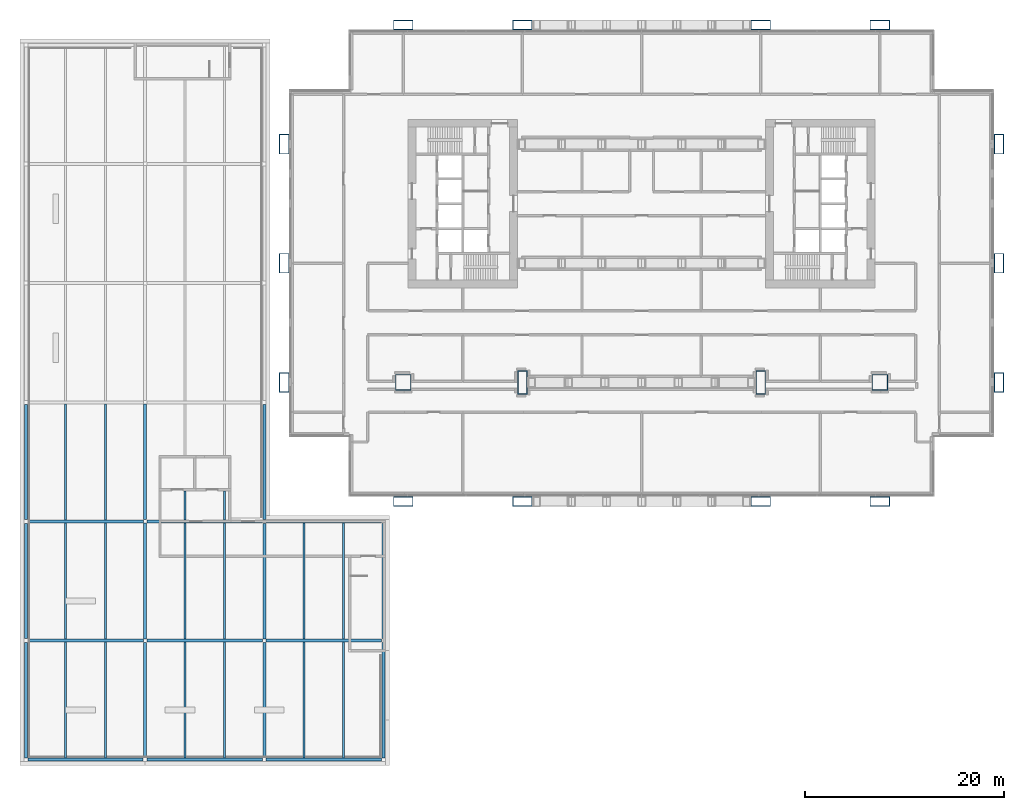
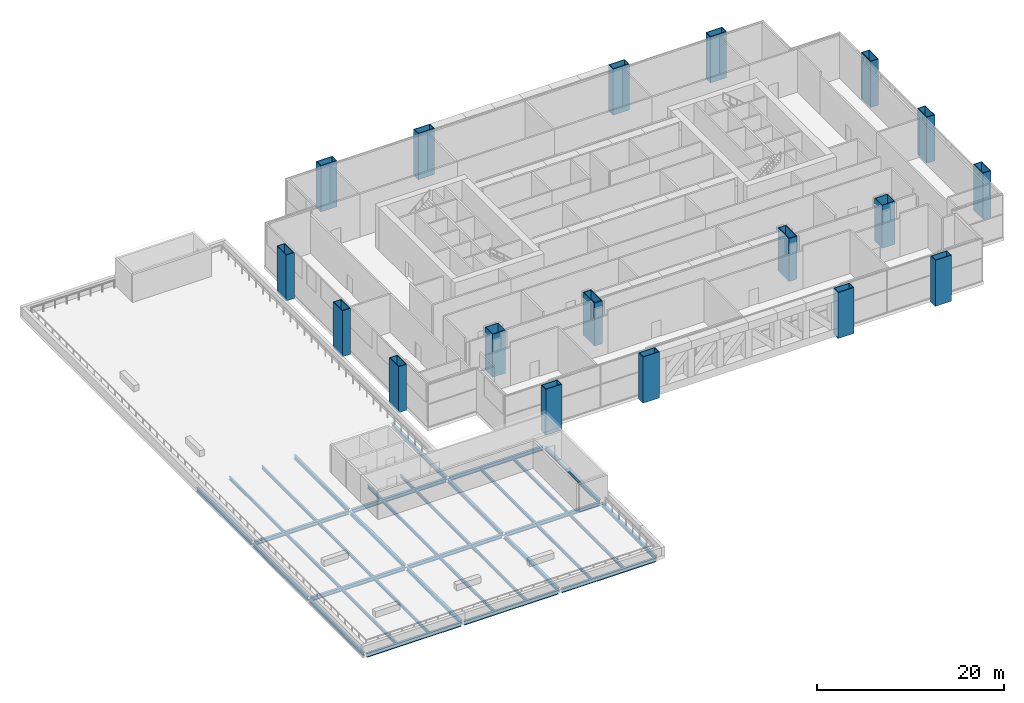
# One storey, part 1 of 27: 36 beams, 18 columns.
"""IFC4 building model written with IfcOpenShell, lengths in metres."""

from ifc_helpers import new_model, si_unit, direction, frame, origin, origin_2d, place, context, subcontext, project, spatial, hollow_rectangle, i_section, extrude, material, material_profile, profile_set, type_object, element, save


model = new_model("IFC4")

# Units and contexts
model_context = context("Model", 3, precision=1e-05, world=origin(), true_north=direction((0.0, 1.0)))
body_context = subcontext(model_context, "Body", "Model", "MODEL_VIEW")
ifc_project = project(units=[si_unit("LENGTHUNIT", "METRE"), si_unit("AREAUNIT", "SQUARE_METRE"), si_unit("VOLUMEUNIT", "CUBIC_METRE"), si_unit("PLANEANGLEUNIT", "RADIAN"), si_unit("MASSUNIT", "GRAM", prefix="KILO")], contexts=[model_context])

# Site, building, storey
site_placement = place(None, origin())
site = spatial("IfcSite", under=ifc_project, at=site_placement, CompositionType="ELEMENT")
building_placement = place(site_placement, origin())
building = spatial("IfcBuilding", under=site, at=building_placement, Name="Kitamizu Gate Tower and Museum", CompositionType="ELEMENT")
storey_placement = place(building_placement, frame((0.0, 0.0, 24.0)))
storey = spatial("IfcBuildingStorey", under=building, at=storey_placement, Name="L04", CompositionType="ELEMENT", Elevation=24.0)

# Columns
ifc_material_1 = material(Name="Steel SM490A bronze coated", Category="steel")
ifc_material_profile_1 = material_profile(ifc_material_1, hollow_rectangle(XDim=2.39990234375, YDim=1.0, WallThickness=0.090087890625, at=origin_2d()), Name="BOX 2400x1000x90")
ifc_profile_set_1 = profile_set([ifc_material_profile_1], Name="Steel SM490A bronze coated")
column_type_1 = type_object("IfcColumnType", Name="Arch jamb column JC1 BOX 2400x1000x90", PredefinedType="COLUMN", material=ifc_profile_set_1)
for number, where, z_axis, x_axis, name in (
    (1, (24.0, 12.0, 0.0), (0.0, 0.0, 1.0), (0.0, 1.0, 0.0), "Column JC1 3B L04"),
    (2, (48.0, 12.0, 0.0), (0.0, 0.0, 1.0), (0.0, 1.0, 0.0), "Column JC1 5B L04"),
):
    element("IfcColumn", number, at=place(storey_placement, frame(where, z_axis=z_axis, x_axis=x_axis)), inside=storey, type_object=column_type_1, Name=name, PredefinedType="COLUMN", context=body_context, shape_type="SweptSolid", body=[
        extrude(hollow_rectangle(XDim=2.39990234375, YDim=1.0, WallThickness=0.090087890625, at=origin_2d()), origin(), (0.0, 0.0, 1.0), 5.60009765625),
    ])
ifc_material_2 = material(Name="Steel SM490A", Category="steel")
ifc_material_profile_2 = material_profile(ifc_material_2, hollow_rectangle(XDim=1.60009765625, YDim=1.60009765625, WallThickness=0.070068359375, at=origin_2d()), Name="BOX 1600x1600x70")
ifc_profile_set_2 = profile_set([ifc_material_profile_2], Name="Steel SM490A")
column_type_2 = type_object("IfcColumnType", Name="Interior column IC1 BOX 1600x1600x70", PredefinedType="COLUMN", material=ifc_profile_set_2)
for number, where, z_axis, x_axis, name in (
    (3, (12.0, 12.0, 0.0), (0.0, 0.0, 1.0), (1.0, 0.0, 0.0), "Column IC1 2B L04"),
    (4, (60.0, 12.0, 0.0), (0.0, 0.0, 1.0), (1.0, 0.0, 0.0), "Column IC1 6B L04"),
):
    element("IfcColumn", number, at=place(storey_placement, frame(where, z_axis=z_axis, x_axis=x_axis)), inside=storey, type_object=column_type_2, Name=name, PredefinedType="COLUMN", context=body_context, shape_type="SweptSolid", body=[
        extrude(hollow_rectangle(XDim=1.60009765625, YDim=1.60009765625, WallThickness=0.070068359375, at=origin_2d()), origin(), (0.0, 0.0, 1.0), 5.60009765625),
    ])
ifc_material_3 = material(Name="Steel SM490A bronze coated", Category="steel")
ifc_material_profile_3 = material_profile(ifc_material_3, hollow_rectangle(XDim=2.0, YDim=1.0, WallThickness=0.080078125, at=origin_2d()), Name="BOX 2000x1000x80")
ifc_profile_set_3 = profile_set([ifc_material_profile_3], Name="Steel SM490A bronze coated")
column_type_3 = type_object("IfcColumnType", Name="Podium leg column LC1 BOX 2000x1000x80", PredefinedType="COLUMN", material=ifc_profile_set_3)
for number, where, z_axis, x_axis, name in (
    (5, (0.0, 12.0, -0.39990234375), (0.0, 0.0, 1.0), (0.0, 1.0, 0.0), "Column LC1 1B L04"),
    (6, (0.0, 24.0, -0.39990234375), (0.0, 0.0, 1.0), (0.0, 1.0, 0.0), "Column LC1 1C L04"),
    (7, (0.0, 36.0, -0.39990234375), (0.0, 0.0, 1.0), (0.0, 1.0, 0.0), "Column LC1 1D L04"),
    (8, (12.0, 0.0, -0.39990234375), (0.0, 0.0, 1.0), (1.0, 0.0, 0.0), "Column LC1 2A L04"),
    (9, (12.0, 48.0, -0.39990234375), (0.0, 0.0, 1.0), (1.0, 0.0, 0.0), "Column LC1 2E L04"),
    (10, (24.0, 0.0, -0.39990234375), (0.0, 0.0, 1.0), (1.0, 0.0, 0.0), "Column LC1 3A L04"),
    (11, (24.0, 48.0, -0.39990234375), (0.0, 0.0, 1.0), (1.0, 0.0, 0.0), "Column LC1 3E L04"),
    (12, (48.0, 0.0, -0.39990234375), (0.0, 0.0, 1.0), (1.0, 0.0, 0.0), "Column LC1 5A L04"),
    (13, (48.0, 48.0, -0.39990234375), (0.0, 0.0, 1.0), (1.0, 0.0, 0.0), "Column LC1 5E L04"),
    (14, (60.0, 0.0, -0.39990234375), (0.0, 0.0, 1.0), (1.0, 0.0, 0.0), "Column LC1 6A L04"),
    (15, (60.0, 48.0, -0.39990234375), (0.0, 0.0, 1.0), (1.0, 0.0, 0.0), "Column LC1 6E L04"),
    (16, (72.0, 12.0, -0.39990234375), (0.0, 0.0, 1.0), (0.0, 1.0, 0.0), "Column LC1 7B L04"),
    (17, (72.0, 24.0, -0.39990234375), (0.0, 0.0, 1.0), (0.0, 1.0, 0.0), "Column LC1 7C L04"),
    (18, (72.0, 36.0, -0.39990234375), (0.0, 0.0, 1.0), (0.0, 1.0, 0.0), "Column LC1 7D L04"),
):
    element("IfcColumn", number, at=place(storey_placement, frame(where, z_axis=z_axis, x_axis=x_axis)), inside=storey, type_object=column_type_3, Name=name, PredefinedType="COLUMN", context=body_context, shape_type="SweptSolid", body=[
        extrude(hollow_rectangle(XDim=2.0, YDim=1.0, WallThickness=0.080078125, at=origin_2d()), origin(), (0.0, 0.0, 1.0), 6.0),
    ])

# Beams
ifc_material_4 = material(Name="Steel SS400", Category="steel")
ifc_material_profile_4 = material_profile(ifc_material_4, i_section(OverallWidth=0.300048828125, OverallDepth=0.488037109375, WebThickness=0.010986328125, FlangeThickness=0.01806640625, FilletRadius=0.02587890625, at=origin_2d()), Name="H-488x300x11x18")
ifc_profile_set_4 = profile_set([ifc_material_profile_4], Name="Steel SS400")
beam_type_1 = type_object("IfcBeamType", Name="Museum girder H 488x300x11x18", PredefinedType="BEAM", material=ifc_profile_set_4)
beam_1_placement = place(storey_placement, frame((-25.800048828125, -26.0, -0.64404296875), z_axis=(1.0, 0.0, 0.0), x_axis=(0.0, 1.0, 0.0)))
element("IfcBeam", 19, at=beam_1_placement, inside=storey, type_object=beam_type_1, Name="Girder xM1M2MA", PredefinedType="BEAM", context=body_context, shape_type="SweptSolid", body=[
    extrude(i_section(OverallWidth=0.300048828125, OverallDepth=0.488037109375, WebThickness=0.010986328125, FlangeThickness=0.01806640625, FilletRadius=0.02587890625, at=origin_2d()), origin(), (0.0, 0.0, 1.0), 11.60009765625),
])
for number, where, z_axis, x_axis, name in (
    (20, (-25.800048828125, -14.0, -0.64404296875), (1.0, 0.0, 0.0), (0.0, 1.0, 0.0), "Girder xM1M2MB"),
    (21, (-25.800048828125, -2.0, -0.64404296875), (1.0, 0.0, 0.0), (0.0, 1.0, 0.0), "Girder xM1M2MC"),
):
    element("IfcBeam", number, at=place(storey_placement, frame(where, z_axis=z_axis, x_axis=x_axis)), inside=storey, type_object=beam_type_1, Name=name, PredefinedType="BEAM", context=body_context, shape_type="SweptSolid", body=[
        extrude(i_section(OverallWidth=0.300048828125, OverallDepth=0.488037109375, WebThickness=0.010986328125, FlangeThickness=0.01806640625, FilletRadius=0.02587890625, at=origin_2d()), origin(), (0.0, 0.0, 1.0), 11.625),
    ])
beam_2_placement = place(storey_placement, frame((-13.800048828125, -26.0, -0.64404296875), z_axis=(1.0, 0.0, 0.0), x_axis=(0.0, 1.0, 0.0)))
element("IfcBeam", 22, at=beam_2_placement, inside=storey, type_object=beam_type_1, Name="Girder xM2M3MA", PredefinedType="BEAM", context=body_context, shape_type="SweptSolid", body=[
    extrude(i_section(OverallWidth=0.300048828125, OverallDepth=0.488037109375, WebThickness=0.010986328125, FlangeThickness=0.01806640625, FilletRadius=0.02587890625, at=origin_2d()), origin(), (0.0, 0.0, 1.0), 11.60009765625),
])
beam_3_placement = place(storey_placement, frame((-13.824951171875, -14.0, -0.64404296875), z_axis=(1.0, 0.0, 0.0), x_axis=(0.0, 1.0, 0.0)))
element("IfcBeam", 23, at=beam_3_placement, inside=storey, type_object=beam_type_1, Name="Girder xM2M3MB", PredefinedType="BEAM", context=body_context, shape_type="SweptSolid", body=[
    extrude(i_section(OverallWidth=0.300048828125, OverallDepth=0.488037109375, WebThickness=0.010986328125, FlangeThickness=0.01806640625, FilletRadius=0.02587890625, at=origin_2d()), origin(), (0.0, 0.0, 1.0), 11.64990234375),
])
beam_4_placement = place(storey_placement, frame((-13.824951171875, -2.0, -0.64404296875), z_axis=(1.0, 0.0, 0.0), x_axis=(0.0, 1.0, 0.0)))
element("IfcBeam", 24, at=beam_4_placement, inside=storey, type_object=beam_type_1, Name="Girder xM2M3MC", PredefinedType="BEAM", context=body_context, shape_type="SweptSolid", body=[
    extrude(i_section(OverallWidth=0.300048828125, OverallDepth=0.488037109375, WebThickness=0.010986328125, FlangeThickness=0.01806640625, FilletRadius=0.02587890625, at=origin_2d()), origin(), (0.0, 0.0, 1.0), 11.625),
])
beam_5_placement = place(storey_placement, frame((-1.800048828125, -26.0, -0.64404296875), z_axis=(1.0, 0.0, 0.0), x_axis=(0.0, 1.0, 0.0)))
element("IfcBeam", 25, at=beam_5_placement, inside=storey, type_object=beam_type_1, Name="Girder xM3M4MA", PredefinedType="BEAM", context=body_context, shape_type="SweptSolid", body=[
    extrude(i_section(OverallWidth=0.300048828125, OverallDepth=0.488037109375, WebThickness=0.010986328125, FlangeThickness=0.01806640625, FilletRadius=0.02587890625, at=origin_2d()), origin(), (0.0, 0.0, 1.0), 11.60009765625),
])
beam_6_placement = place(storey_placement, frame((-1.824951171875, -14.0, -0.64404296875), z_axis=(1.0, 0.0, 0.0), x_axis=(0.0, 1.0, 0.0)))
element("IfcBeam", 26, at=beam_6_placement, inside=storey, type_object=beam_type_1, Name="Girder xM3M4MB", PredefinedType="BEAM", context=body_context, shape_type="SweptSolid", body=[
    extrude(i_section(OverallWidth=0.300048828125, OverallDepth=0.488037109375, WebThickness=0.010986328125, FlangeThickness=0.01806640625, FilletRadius=0.02587890625, at=origin_2d()), origin(), (0.0, 0.0, 1.0), 11.625),
])
for number, where, z_axis, x_axis, name in (
    (27, (-1.800048828125, -2.0, -0.64404296875), (1.0, 0.0, 0.0), (0.0, 1.0, 0.0), "Girder xM3M4MC"),
    (28, (-26.0, -25.800048828125, -0.64404296875), (0.0, 1.0, 0.0), (-1.0, 0.0, 0.0), "Girder yM1MAMB"),
):
    element("IfcBeam", number, at=place(storey_placement, frame(where, z_axis=z_axis, x_axis=x_axis)), inside=storey, type_object=beam_type_1, Name=name, PredefinedType="BEAM", context=body_context, shape_type="SweptSolid", body=[
        extrude(i_section(OverallWidth=0.300048828125, OverallDepth=0.488037109375, WebThickness=0.010986328125, FlangeThickness=0.01806640625, FilletRadius=0.02587890625, at=origin_2d()), origin(), (0.0, 0.0, 1.0), 11.60009765625),
    ])
for number, where, z_axis, x_axis, name in (
    (29, (-14.0, -25.800048828125, -0.64404296875), (0.0, 1.0, 0.0), (-1.0, 0.0, 0.0), "Girder yM2MAMB"),
    (30, (-2.0, -25.800048828125, -0.64404296875), (0.0, 1.0, 0.0), (-1.0, 0.0, 0.0), "Girder yM3MAMB"),
):
    element("IfcBeam", number, at=place(storey_placement, frame(where, z_axis=z_axis, x_axis=x_axis)), inside=storey, type_object=beam_type_1, Name=name, PredefinedType="BEAM", context=body_context, shape_type="SweptSolid", body=[
        extrude(i_section(OverallWidth=0.300048828125, OverallDepth=0.488037109375, WebThickness=0.010986328125, FlangeThickness=0.01806640625, FilletRadius=0.02587890625, at=origin_2d()), origin(), (0.0, 0.0, 1.0), 11.625),
    ])
for number, where, z_axis, x_axis, name in (
    (31, (10.0, -25.800048828125, -0.64404296875), (0.0, 1.0, 0.0), (-1.0, 0.0, 0.0), "Girder yM4MAMB"),
    (32, (-26.0, -13.800048828125, -0.64404296875), (0.0, 1.0, 0.0), (-1.0, 0.0, 0.0), "Girder yM1MBMC"),
):
    element("IfcBeam", number, at=place(storey_placement, frame(where, z_axis=z_axis, x_axis=x_axis)), inside=storey, type_object=beam_type_1, Name=name, PredefinedType="BEAM", context=body_context, shape_type="SweptSolid", body=[
        extrude(i_section(OverallWidth=0.300048828125, OverallDepth=0.488037109375, WebThickness=0.010986328125, FlangeThickness=0.01806640625, FilletRadius=0.02587890625, at=origin_2d()), origin(), (0.0, 0.0, 1.0), 11.60009765625),
    ])
beam_7_placement = place(storey_placement, frame((-14.0, -13.824951171875, -0.64404296875), z_axis=(0.0, 1.0, 0.0), x_axis=(-1.0, 0.0, 0.0)))
element("IfcBeam", 33, at=beam_7_placement, inside=storey, type_object=beam_type_1, Name="Girder yM2MBMC", PredefinedType="BEAM", context=body_context, shape_type="SweptSolid", body=[
    extrude(i_section(OverallWidth=0.300048828125, OverallDepth=0.488037109375, WebThickness=0.010986328125, FlangeThickness=0.01806640625, FilletRadius=0.02587890625, at=origin_2d()), origin(), (0.0, 0.0, 1.0), 11.64990234375),
])
beam_8_placement = place(storey_placement, frame((-2.0, -13.824951171875, -0.64404296875), z_axis=(0.0, 1.0, 0.0), x_axis=(-1.0, 0.0, 0.0)))
element("IfcBeam", 34, at=beam_8_placement, inside=storey, type_object=beam_type_1, Name="Girder yM3MBMC", PredefinedType="BEAM", context=body_context, shape_type="SweptSolid", body=[
    extrude(i_section(OverallWidth=0.300048828125, OverallDepth=0.488037109375, WebThickness=0.010986328125, FlangeThickness=0.01806640625, FilletRadius=0.02587890625, at=origin_2d()), origin(), (0.0, 0.0, 1.0), 11.625),
])
for number, where, z_axis, x_axis, name in (
    (35, (10.0, -13.800048828125, -0.64404296875), (0.0, 1.0, 0.0), (-1.0, 0.0, 0.0), "Girder yM4MBMC"),
    (36, (-26.0, -1.800048828125, -0.64404296875), (0.0, 1.0, 0.0), (-1.0, 0.0, 0.0), "Girder yM1MCMD"),
):
    element("IfcBeam", number, at=place(storey_placement, frame(where, z_axis=z_axis, x_axis=x_axis)), inside=storey, type_object=beam_type_1, Name=name, PredefinedType="BEAM", context=body_context, shape_type="SweptSolid", body=[
        extrude(i_section(OverallWidth=0.300048828125, OverallDepth=0.488037109375, WebThickness=0.010986328125, FlangeThickness=0.01806640625, FilletRadius=0.02587890625, at=origin_2d()), origin(), (0.0, 0.0, 1.0), 11.60009765625),
    ])
beam_9_placement = place(storey_placement, frame((-14.0, -1.824951171875, -0.64404296875), z_axis=(0.0, 1.0, 0.0), x_axis=(-1.0, 0.0, 0.0)))
element("IfcBeam", 37, at=beam_9_placement, inside=storey, type_object=beam_type_1, Name="Girder yM2MCMD", PredefinedType="BEAM", context=body_context, shape_type="SweptSolid", body=[
    extrude(i_section(OverallWidth=0.300048828125, OverallDepth=0.488037109375, WebThickness=0.010986328125, FlangeThickness=0.01806640625, FilletRadius=0.02587890625, at=origin_2d()), origin(), (0.0, 0.0, 1.0), 11.64990234375),
])
beam_10_placement = place(storey_placement, frame((-2.0, -1.800048828125, -0.64404296875), z_axis=(0.0, 1.0, 0.0), x_axis=(-1.0, 0.0, 0.0)))
element("IfcBeam", 38, at=beam_10_placement, inside=storey, type_object=beam_type_1, Name="Girder yM3MCMD", PredefinedType="BEAM", context=body_context, shape_type="SweptSolid", body=[
    extrude(i_section(OverallWidth=0.300048828125, OverallDepth=0.488037109375, WebThickness=0.010986328125, FlangeThickness=0.01806640625, FilletRadius=0.02587890625, at=origin_2d()), origin(), (0.0, 0.0, 1.0), 11.60009765625),
])
ifc_material_5 = material(Name="Steel SS400", Category="steel")
ifc_material_profile_5 = material_profile(ifc_material_5, i_section(OverallWidth=0.198974609375, OverallDepth=0.39599609375, WebThickness=0.007080078125, FlangeThickness=0.010986328125, FilletRadius=0.01611328125, at=origin_2d()), Name="H-396x199x7x11")
ifc_profile_set_5 = profile_set([ifc_material_profile_5], Name="Steel SS400")
beam_type_2 = type_object("IfcBeamType", Name="Museum secondary beam H 396x199x7x11", PredefinedType="JOIST", material=ifc_profile_set_5)
for number, where, z_axis, x_axis, name in (
    (39, (-22.0, -25.85009765625, -0.597900390625), (0.0, 1.0, 0.0), (-1.0, 0.0, 0.0), "Secondary beam M1M2MAMB.1"),
    (40, (-18.0, -25.85009765625, -0.597900390625), (0.0, 1.0, 0.0), (-1.0, 0.0, 0.0), "Secondary beam M1M2MAMB.2"),
    (41, (-22.0, -13.85009765625, -0.597900390625), (0.0, 1.0, 0.0), (-1.0, 0.0, 0.0), "Secondary beam M1M2MBMC.1"),
    (42, (-18.0, -13.85009765625, -0.597900390625), (0.0, 1.0, 0.0), (-1.0, 0.0, 0.0), "Secondary beam M1M2MBMC.2"),
    (43, (-22.0, -1.85009765625, -0.597900390625), (0.0, 1.0, 0.0), (-1.0, 0.0, 0.0), "Secondary beam M1M2MCMD.1"),
    (44, (-18.0, -1.85009765625, -0.597900390625), (0.0, 1.0, 0.0), (-1.0, 0.0, 0.0), "Secondary beam M1M2MCMD.2"),
    (45, (-10.0, -25.85009765625, -0.597900390625), (0.0, 1.0, 0.0), (-1.0, 0.0, 0.0), "Secondary beam M2M3MAMB.1"),
    (46, (-6.0, -25.85009765625, -0.597900390625), (0.0, 1.0, 0.0), (-1.0, 0.0, 0.0), "Secondary beam M2M3MAMB.2"),
    (47, (-10.0, -13.85009765625, -0.597900390625), (0.0, 1.0, 0.0), (-1.0, 0.0, 0.0), "Secondary beam M2M3MBMC.1"),
    (48, (-6.0, -13.85009765625, -0.597900390625), (0.0, 1.0, 0.0), (-1.0, 0.0, 0.0), "Secondary beam M2M3MBMC.2"),
):
    element("IfcBeam", number, at=place(storey_placement, frame(where, z_axis=z_axis, x_axis=x_axis)), inside=storey, type_object=beam_type_2, Name=name, PredefinedType="JOIST", context=body_context, shape_type="SweptSolid", body=[
        extrude(i_section(OverallWidth=0.198974609375, OverallDepth=0.39599609375, WebThickness=0.007080078125, FlangeThickness=0.010986328125, FilletRadius=0.01611328125, at=origin_2d()), origin(), (0.0, 0.0, 1.0), 11.7001953125),
    ])
for number, where, z_axis, x_axis, name in (
    (49, (-10.0, -1.85009765625, -0.597900390625), (0.0, 1.0, 0.0), (-1.0, 0.0, 0.0), "Secondary beam M2M3MCMD.1"),
    (50, (-6.0, -1.85009765625, -0.597900390625), (0.0, 1.0, 0.0), (-1.0, 0.0, 0.0), "Secondary beam M2M3MCMD.2"),
):
    element("IfcBeam", number, at=place(storey_placement, frame(where, z_axis=z_axis, x_axis=x_axis)), inside=storey, type_object=beam_type_2, Name=name, PredefinedType="JOIST", context=body_context, shape_type="SweptSolid", body=[
        extrude(i_section(OverallWidth=0.198974609375, OverallDepth=0.39599609375, WebThickness=0.007080078125, FlangeThickness=0.010986328125, FilletRadius=0.01611328125, at=origin_2d()), origin(), (0.0, 0.0, 1.0), 2.925048828125),
    ])
for number, where, z_axis, x_axis, name in (
    (51, (2.0, -25.85009765625, -0.597900390625), (0.0, 1.0, 0.0), (-1.0, 0.0, 0.0), "Secondary beam M3M4MAMB.1"),
    (52, (6.0, -25.85009765625, -0.597900390625), (0.0, 1.0, 0.0), (-1.0, 0.0, 0.0), "Secondary beam M3M4MAMB.2"),
    (53, (2.0, -13.85009765625, -0.597900390625), (0.0, 1.0, 0.0), (-1.0, 0.0, 0.0), "Secondary beam M3M4MBMC.1"),
    (54, (6.0, -13.85009765625, -0.597900390625), (0.0, 1.0, 0.0), (-1.0, 0.0, 0.0), "Secondary beam M3M4MBMC.2"),
):
    element("IfcBeam", number, at=place(storey_placement, frame(where, z_axis=z_axis, x_axis=x_axis)), inside=storey, type_object=beam_type_2, Name=name, PredefinedType="JOIST", context=body_context, shape_type="SweptSolid", body=[
        extrude(i_section(OverallWidth=0.198974609375, OverallDepth=0.39599609375, WebThickness=0.007080078125, FlangeThickness=0.010986328125, FilletRadius=0.01611328125, at=origin_2d()), origin(), (0.0, 0.0, 1.0), 11.7001953125),
    ])

save(model, "model.ifc")
